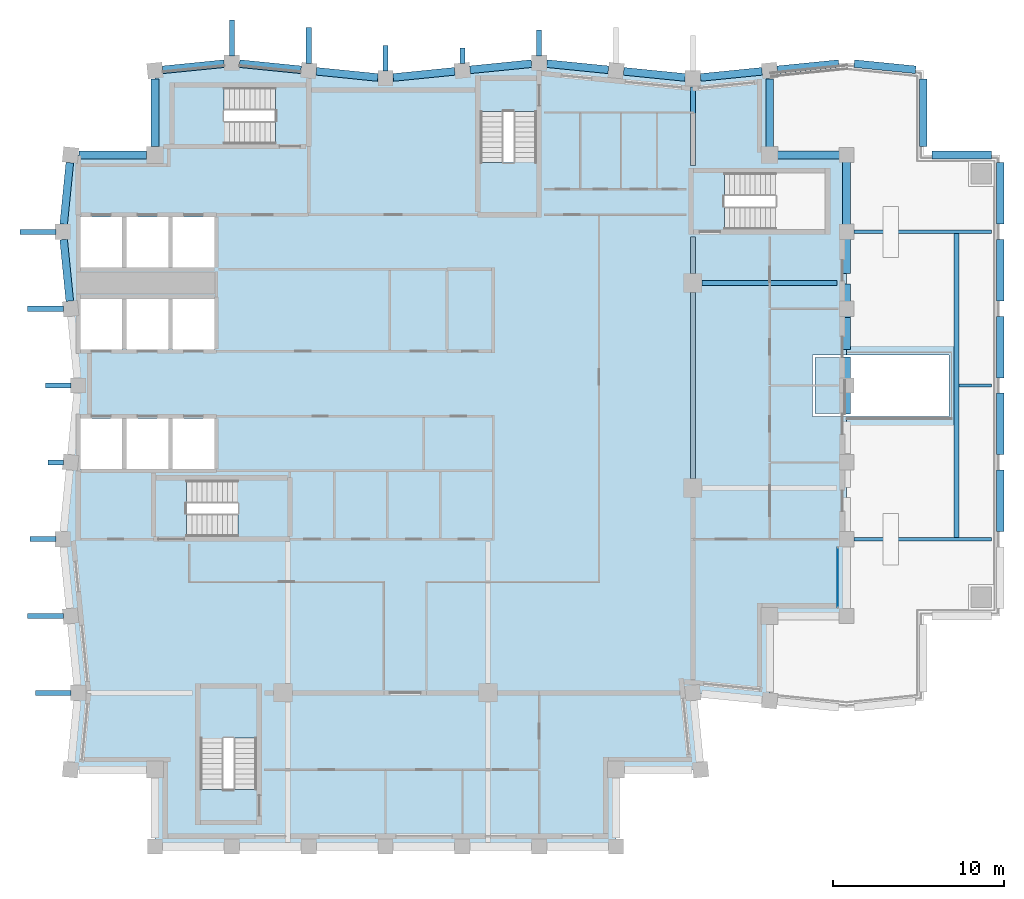
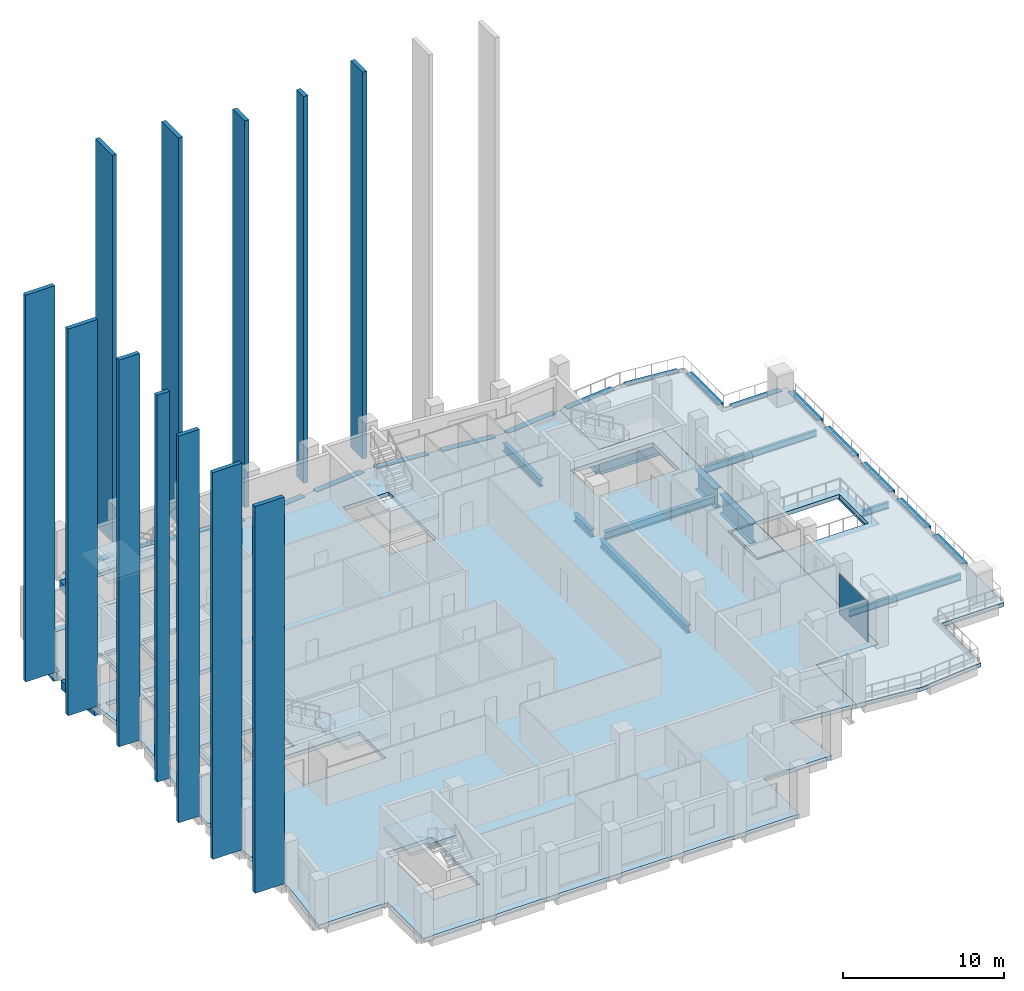
# One storey, part 3 of 11: 36 beams, 13 plates, 7 slabs, 5 elements without a shape of their own.
"""IFC4 building model written with IfcOpenShell, lengths in metres."""

from ifc_helpers import new_model, si_unit, direction, frame, origin, origin_2d, place, context, subcontext, project, spatial, polyline, rectangle, i_section, outline, extrude, material, layer, layer_set, material_profile, profile_set, type_object, element, aggregate, save


model = new_model("IFC4")

# Units and contexts
model_context = context("Model", 3, precision=1e-05, world=origin(), true_north=direction((0.0, 1.0)))
body_context = subcontext(model_context, "Body", "Model", "MODEL_VIEW")
ifc_project = project(units=[si_unit("LENGTHUNIT", "METRE"), si_unit("AREAUNIT", "SQUARE_METRE"), si_unit("VOLUMEUNIT", "CUBIC_METRE"), si_unit("PLANEANGLEUNIT", "RADIAN"), si_unit("MASSUNIT", "GRAM", prefix="KILO")], contexts=[model_context])

# Site, building, storey
site_placement = place(None, origin())
site = spatial("IfcSite", under=ifc_project, at=site_placement, CompositionType="ELEMENT")
building_placement = place(site_placement, origin())
building = spatial("IfcBuilding", under=site, at=building_placement, Name="Brondeck Convention Tower", CompositionType="ELEMENT")
storey_placement = place(building_placement, frame((0.0, 0.0, 252.39990234375)))
storey = spatial("IfcBuildingStorey", under=building, at=storey_placement, Name="L62", CompositionType="ELEMENT", Elevation=252.39990234375)

# Beams
ifc_material_1 = material(Name="Steel S355", Category="steel")
ifc_material_profile_1 = material_profile(ifc_material_1, i_section(OverallWidth=0.199951171875, OverallDepth=0.5, WebThickness=0.01025390625, FlangeThickness=0.01611328125, FilletRadius=0.02099609375, at=origin_2d()), Name="IPE 500")
ifc_profile_set_1 = profile_set([ifc_material_profile_1], Name="Steel S355")
beam_type_1 = type_object("IfcBeamType", Name="Floor beam IPE 500", PredefinedType="BEAM", material=ifc_profile_set_1)
for number, where, z_axis, x_axis, name in (
    (1, (45.449951171875, 36.0, -0.5498046875), (1.0, 0.0, 0.0), (0.0, 1.0, 0.0), "STR-FB-L62T1-001"),
    (2, (45.449951171875, 54.0, -0.5498046875), (1.0, 0.0, 0.0), (0.0, 1.0, 0.0), "STR-FB-L62T1-002"),
):
    element("IfcBeam", number, at=place(storey_placement, frame(where, z_axis=z_axis, x_axis=x_axis)), inside=storey, type_object=beam_type_1, Name=name, PredefinedType="BEAM", context=body_context, shape_type="SweptSolid", body=[
        extrude(i_section(OverallWidth=0.199951171875, OverallDepth=0.5, WebThickness=0.01025390625, FlangeThickness=0.01611328125, FilletRadius=0.02099609375, at=origin_2d()), origin(), (0.0, 0.0, 1.0), 8.050048828125),
    ])
beam_1_placement = place(storey_placement, frame((51.60009765625, 45.0, -0.5498046875), z_axis=(1.0, 0.0, 0.0), x_axis=(0.0, 1.0, 0.0)))
element("IfcBeam", 3, at=beam_1_placement, inside=storey, type_object=beam_type_1, Name="STR-FB-L62T1-003", PredefinedType="BEAM", context=body_context, shape_type="SweptSolid", body=[
    extrude(i_section(OverallWidth=0.199951171875, OverallDepth=0.5, WebThickness=0.01025390625, FlangeThickness=0.01611328125, FilletRadius=0.02099609375, at=origin_2d()), origin(), (0.0, 0.0, 1.0), 1.89990234375),
])
ifc_material_profile_2 = material_profile(ifc_material_1, i_section(OverallWidth=0.300048828125, OverallDepth=0.60009765625, WebThickness=0.015380859375, FlangeThickness=0.030029296875, FilletRadius=0.027099609375, at=origin_2d()), Name="HEB 600")
ifc_profile_set_2 = profile_set([ifc_material_profile_2], Name="Steel S355")
beam_type_2 = type_object("IfcBeamType", Name="Girder HEB 600", PredefinedType="BEAM", material=ifc_profile_set_2)
beam_2_placement = place(storey_placement, frame((36.550048828125, 51.0, -0.599853515625), z_axis=(1.0, 0.0, 0.0), x_axis=(0.0, 1.0, 0.0)))
element("IfcBeam", 4, at=beam_2_placement, inside=storey, type_object=beam_type_2, Name="STR-GR-L62-002", PredefinedType="BEAM", context=body_context, shape_type="SweptSolid", body=[
    extrude(i_section(OverallWidth=0.300048828125, OverallDepth=0.60009765625, WebThickness=0.015380859375, FlangeThickness=0.030029296875, FilletRadius=0.027099609375, at=origin_2d()), origin(), (0.0, 0.0, 1.0), 7.89990234375),
])
beam_3_placement = place(storey_placement, frame((36.0, 39.550048828125, -0.599853515625), z_axis=(0.0, 1.0, 0.0), x_axis=(-1.0, 0.0, 0.0)))
element("IfcBeam", 5, at=beam_3_placement, inside=storey, type_object=beam_type_2, Name="STR-GR-L62-004", PredefinedType="BEAM", context=body_context, shape_type="SweptSolid", body=[
    extrude(i_section(OverallWidth=0.300048828125, OverallDepth=0.60009765625, WebThickness=0.015380859375, FlangeThickness=0.030029296875, FilletRadius=0.027099609375, at=origin_2d()), origin(), (0.0, 0.0, 1.0), 10.89990234375),
])
beam_4_placement = place(storey_placement, frame((36.0, 51.550048828125, -0.599853515625), z_axis=(0.0, 1.0, 0.0), x_axis=(-1.0, 0.0, 0.0)))
element("IfcBeam", 6, at=beam_4_placement, inside=storey, type_object=beam_type_2, Name="STR-GR-L62-005", PredefinedType="BEAM", context=body_context, shape_type="SweptSolid", body=[
    extrude(i_section(OverallWidth=0.300048828125, OverallDepth=0.60009765625, WebThickness=0.015380859375, FlangeThickness=0.030029296875, FilletRadius=0.027099609375, at=origin_2d()), origin(), (0.0, 0.0, 1.0), 2.14990234375),
])
beam_5_placement = place(storey_placement, frame((36.0, 57.89990234375, -0.599853515625), z_axis=(0.0, 1.0, 0.0), x_axis=(-1.0, 0.0, 0.0)))
element("IfcBeam", 7, at=beam_5_placement, inside=storey, type_object=beam_type_2, Name="STR-GR-L62-006", PredefinedType="BEAM", context=body_context, shape_type="SweptSolid", body=[
    extrude(i_section(OverallWidth=0.300048828125, OverallDepth=0.60009765625, WebThickness=0.015380859375, FlangeThickness=0.030029296875, FilletRadius=0.027099609375, at=origin_2d()), origin(), (0.0, 0.0, 1.0), 4.60009765625),
])
beam_6_placement = place(storey_placement, frame((51.449951171875, 36.10009765625, -0.599853515625), z_axis=(0.0, 1.0, 0.0), x_axis=(-1.0, 0.0, 0.0)))
element("IfcBeam", 8, at=beam_6_placement, inside=storey, type_object=beam_type_2, Name="STR-GR-L62T1-001", PredefinedType="BEAM", context=body_context, shape_type="SweptSolid", body=[
    extrude(i_section(OverallWidth=0.300048828125, OverallDepth=0.60009765625, WebThickness=0.015380859375, FlangeThickness=0.030029296875, FilletRadius=0.027099609375, at=origin_2d()), origin(), (0.0, 0.0, 1.0), 17.7998046875),
])
ifc_material_2 = material(Name="Concrete C50/60", Category="concrete")
ifc_material_profile_3 = material_profile(ifc_material_2, rectangle(XDim=0.449951171875, YDim=0.64990234375, at=origin_2d()), Name="Precast spandrel 450x650 Concrete C50/60")
ifc_profile_set_3 = profile_set([ifc_material_profile_3], Name="Concrete C50/60")
beam_type_3 = type_object("IfcBeamType", Name="Precast spandrel 450x650 Concrete C50/60", PredefinedType="SPANDREL", material=ifc_profile_set_3)
for number, where, z_axis, x_axis, name in (
    (9, (40.05224609375, 63.4052734375, -0.324951171875), (-0.995033851182, -0.099537103649, 0.0), (0.099537103649, -0.995033851182, 0.0), "STR-SP-L62-011"),
    (10, (35.550048828125, 63.044921875, -0.324951171875), (-0.995033851182, 0.099537103649, 0.0), (-0.099537103649, -0.995033851182, 0.0), "STR-SP-L62-012"),
    (11, (31.05224609375, 63.494873046875, -0.324951171875), (-0.995040528141, 0.099470334057, 0.0), (-0.099470334057, -0.995040528141, 0.0), "STR-SP-L62-013"),
    (12, (26.550048828125, 63.85498046875, -0.324951171875), (-0.995040528141, -0.099470334057, 0.0), (0.099470334057, -0.995040528141, 0.0), "STR-SP-L62-014"),
    (13, (22.05224609375, 63.4052734375, -0.324951171875), (-0.995033851182, -0.099537103649, 0.0), (0.099537103649, -0.995033851182, 0.0), "STR-SP-L62-015"),
    (14, (17.550048828125, 63.044921875, -0.324951171875), (-0.995033851182, 0.099537103649, 0.0), (-0.099537103649, -0.995033851182, 0.0), "STR-SP-L62-016"),
    (15, (13.05224609375, 63.494873046875, -0.324951171875), (-0.995040528141, 0.099470334057, 0.0), (-0.099470334057, -0.995040528141, 0.0), "STR-SP-L62-017"),
    (16, (8.550048828125, 63.85498046875, -0.324951171875), (-0.995040528141, -0.099470334057, 0.0), (0.099470334057, -0.995040528141, 0.0), "STR-SP-L62-018"),
):
    element("IfcBeam", number, at=place(storey_placement, frame(where, z_axis=z_axis, x_axis=x_axis)), inside=storey, type_object=beam_type_3, Name=name, PredefinedType="SPANDREL", context=body_context, shape_type="SweptSolid", body=[
        extrude(rectangle(XDim=0.449951171875, YDim=0.64990234375, at=origin_2d()), origin(), (0.0, 0.0, 1.0), 3.620361328125),
    ])
for number, where, z_axis, x_axis, name in (
    (17, (4.5, 62.947509765625, -0.324951171875), (0.0, -1.0, 0.0), (1.0, 0.0, 0.0), "STR-SP-L62-019"),
    (18, (4.0, 58.5, -0.324951171875), (-1.0, 0.0, 0.0), (0.0, -1.0, 0.0), "STR-SP-L62-020"),
):
    element("IfcBeam", number, at=place(storey_placement, frame(where, z_axis=z_axis, x_axis=x_axis)), inside=storey, type_object=beam_type_3, Name=name, PredefinedType="SPANDREL", context=body_context, shape_type="SweptSolid", body=[
        extrude(rectangle(XDim=0.449951171875, YDim=0.64990234375, at=origin_2d()), origin(), (0.0, 0.0, 1.0), 3.947509765625),
    ])
for number, where, z_axis, x_axis, name in (
    (19, (-0.494873046875, 58.05224609375, -0.324951171875), (-0.099470334057, -0.995040528141, 0.0), (0.995040528141, -0.099470334057, 0.0), "STR-SP-L62-021"),
    (20, (-0.85498046875, 53.550048828125, -0.324951171875), (0.099470334057, -0.995040528141, 0.0), (0.995040528141, 0.099470334057, 0.0), "STR-SP-L62-022"),
    (21, (45.449951171875, 63.85498046875, -0.324951171875), (0.995040528141, -0.099470334057, 0.0), (0.099470334057, 0.995040528141, 0.0), "STR-SP-L62T1-001"),
):
    element("IfcBeam", number, at=place(storey_placement, frame(where, z_axis=z_axis, x_axis=x_axis)), inside=storey, type_object=beam_type_3, Name=name, PredefinedType="SPANDREL", context=body_context, shape_type="SweptSolid", body=[
        extrude(rectangle(XDim=0.449951171875, YDim=0.64990234375, at=origin_2d()), origin(), (0.0, 0.0, 1.0), 3.620361328125),
    ])
beam_7_placement = place(storey_placement, frame((49.5, 62.947509765625, -0.324951171875), z_axis=(0.0, -1.0, 0.0), x_axis=(1.0, 0.0, 0.0)))
element("IfcBeam", 22, at=beam_7_placement, inside=storey, type_object=beam_type_3, Name="STR-SP-L62T1-002", PredefinedType="SPANDREL", context=body_context, shape_type="SweptSolid", body=[
    extrude(rectangle(XDim=0.449951171875, YDim=0.64990234375, at=origin_2d()), origin(), (0.0, 0.0, 1.0), 3.947509765625),
])
beam_8_placement = place(storey_placement, frame((50.0, 58.5, -0.324951171875), z_axis=(1.0, 0.0, 0.0), x_axis=(0.0, 1.0, 0.0)))
element("IfcBeam", 23, at=beam_8_placement, inside=storey, type_object=beam_type_3, Name="STR-SP-L62T1-003", PredefinedType="SPANDREL", context=body_context, shape_type="SweptSolid", body=[
    extrude(rectangle(XDim=0.449951171875, YDim=0.64990234375, at=origin_2d()), origin(), (0.0, 0.0, 1.0), 3.5),
])
for number, where, z_axis, x_axis, name in (
    (24, (54.0, 58.050048828125, -0.324951171875), (0.0, -1.0, 0.0), (1.0, 0.0, 0.0), "STR-SP-L62T1-004"),
    (25, (54.0, 53.550048828125, -0.324951171875), (0.0, -1.0, 0.0), (1.0, 0.0, 0.0), "STR-SP-L62T1-005"),
    (26, (54.0, 49.050048828125, -0.324951171875), (0.0, -1.0, 0.0), (1.0, 0.0, 0.0), "STR-SP-L62T1-006"),
    (27, (54.0, 44.550048828125, -0.324951171875), (0.0, -1.0, 0.0), (1.0, 0.0, 0.0), "STR-SP-L62T1-007"),
    (28, (54.0, 40.050048828125, -0.324951171875), (0.0, -1.0, 0.0), (1.0, 0.0, 0.0), "STR-SP-L62T1-008"),
):
    element("IfcBeam", number, at=place(storey_placement, frame(where, z_axis=z_axis, x_axis=x_axis)), inside=storey, type_object=beam_type_3, Name=name, PredefinedType="SPANDREL", context=body_context, shape_type="SweptSolid", body=[
        extrude(rectangle(XDim=0.449951171875, YDim=0.64990234375, at=origin_2d()), origin(), (0.0, 0.0, 1.0), 3.60009765625),
    ])
beam_9_placement = place(storey_placement, frame((40.94775390625, 63.494873046875, -0.324951171875), z_axis=(0.995040528141, 0.099470334057, 0.0), x_axis=(-0.099470334057, 0.995040528141, 0.0)))
element("IfcBeam", 29, at=beam_9_placement, inside=storey, type_object=beam_type_3, Name="STR-SP-L62T1-014", PredefinedType="SPANDREL", context=body_context, shape_type="SweptSolid", body=[
    extrude(rectangle(XDim=0.449951171875, YDim=0.64990234375, at=origin_2d()), origin(), (0.0, 0.0, 1.0), 3.620361328125),
])
ifc_material_3 = material(Name="Steel S460", Category="steel")
ifc_material_profile_4 = material_profile(ifc_material_3, i_section(OverallWidth=0.449951171875, OverallDepth=1.5, WebThickness=0.02490234375, FlangeThickness=0.044921875, at=origin_2d()), Name="PG 1500x450")
ifc_profile_set_4 = profile_set([ifc_material_profile_4], Name="Steel S460")
beam_type_4 = type_object("IfcBeamType", Name="Transfer girder PG 1500x450", PredefinedType="BEAM", material=ifc_profile_set_4)
beam_10_placement = place(storey_placement, frame((45.0, 47.10009765625, -1.0498046875), z_axis=(0.0, 1.0, 0.0), x_axis=(-1.0, 0.0, 0.0)))
element("IfcBeam", 30, at=beam_10_placement, inside=storey, type_object=beam_type_4, Name="Setback transfer girder PG-L62-7", PredefinedType="BEAM", context=body_context, shape_type="SweptSolid", body=[
    extrude(i_section(OverallWidth=0.449951171875, OverallDepth=1.5, WebThickness=0.02490234375, FlangeThickness=0.044921875, at=origin_2d()), origin(), (0.0, 0.0, 1.0), 2.39990234375),
])
beam_11_placement = place(storey_placement, frame((45.0, 48.989990234375, -1.0498046875), z_axis=(0.0, 1.0, 0.0), x_axis=(-1.0, 0.0, 0.0)))
element("IfcBeam", 31, at=beam_11_placement, inside=storey, type_object=beam_type_4, Name="Setback transfer girder PG-L62-8", PredefinedType="BEAM", context=body_context, shape_type="SweptSolid", body=[
    extrude(i_section(OverallWidth=0.449951171875, OverallDepth=1.5, WebThickness=0.02490234375, FlangeThickness=0.044921875, at=origin_2d()), origin(), (0.0, 0.0, 1.0), 1.969970703125),
])
beam_12_placement = place(storey_placement, frame((45.0, 51.550048828125, -1.0498046875), z_axis=(0.0, 1.0, 0.0), x_axis=(-1.0, 0.0, 0.0)))
element("IfcBeam", 32, at=beam_12_placement, inside=storey, type_object=beam_type_4, Name="Setback transfer girder PG-L62-9", PredefinedType="BEAM", context=body_context, shape_type="SweptSolid", body=[
    extrude(i_section(OverallWidth=0.449951171875, OverallDepth=1.5, WebThickness=0.02490234375, FlangeThickness=0.044921875, at=origin_2d()), origin(), (0.0, 0.0, 1.0), 2.449951171875),
])
for number, where, z_axis, x_axis, name in (
    (33, (45.0, 54.0, -1.0498046875), (0.0, 1.0, 0.0), (-1.0, 0.0, 0.0), "Setback transfer girder PG-L62-10"),
    (34, (45.0, 58.5, -1.0498046875), (-1.0, 0.0, 0.0), (0.0, -1.0, 0.0), "Setback transfer girder PG-L62-11"),
):
    element("IfcBeam", number, at=place(storey_placement, frame(where, z_axis=z_axis, x_axis=x_axis)), inside=storey, type_object=beam_type_4, Name=name, PredefinedType="BEAM", context=body_context, shape_type="SweptSolid", body=[
        extrude(i_section(OverallWidth=0.449951171875, OverallDepth=1.5, WebThickness=0.02490234375, FlangeThickness=0.044921875, at=origin_2d()), origin(), (0.0, 0.0, 1.0), 4.5),
    ])
beam_13_placement = place(storey_placement, frame((40.5, 58.5, -1.0498046875), z_axis=(0.0, 1.0, 0.0), x_axis=(-1.0, 0.0, 0.0)))
element("IfcBeam", 35, at=beam_13_placement, inside=storey, type_object=beam_type_4, Name="Setback transfer girder PG-L62-12", PredefinedType="BEAM", context=body_context, shape_type="SweptSolid", body=[
    extrude(i_section(OverallWidth=0.449951171875, OverallDepth=1.5, WebThickness=0.02490234375, FlangeThickness=0.044921875, at=origin_2d()), origin(), (0.0, 0.0, 1.0), 4.447509765625),
])
beam_14_placement = place(storey_placement, frame((45.0, 43.320068359375, -1.0498046875), z_axis=(0.0, 1.0, 0.0), x_axis=(-1.0, 0.0, 0.0)))
element("IfcBeam", 36, at=beam_14_placement, inside=storey, type_object=beam_type_4, Name="Setback transfer girder PG-L62-C1", PredefinedType="BEAM", context=body_context, shape_type="SweptSolid", body=[
    extrude(i_section(OverallWidth=0.449951171875, OverallDepth=1.5, WebThickness=0.02490234375, FlangeThickness=0.044921875, at=origin_2d()), origin(), (0.0, 0.0, 1.0), 3.35986328125),
])

# Curtain wall, plate
ifc_material_4 = material(Name="Aluminium, bronze anodised", Category="aluminium")
curtain_wall_type = type_object("IfcCurtainWallType", Name="Terrace door screen curtain wall", PredefinedType="NOTDEFINED", material=ifc_material_4)
curtain_wall_placement = place(storey_placement, origin())
curtain_wall = element("IfcCurtainWall", 37, at=curtain_wall_placement, inside=storey, type_object=curtain_wall_type, Name="ENV-CW6-L62-A-E45-01", PredefinedType="NOTDEFINED")
ifc_material_5 = material(Name="Bronze tinted laminated glass", Category="glass")
ifc_layer_1 = layer(ifc_material_5, 0.006103515625, Name="Outer pane")
ifc_material_6 = material(Name="Argon-filled cavity")
ifc_layer_2 = layer(ifc_material_6, 0.011962890625, Name="Cavity")
ifc_material_7 = material(Name="Clear low-emissivity glass", Category="glass")
ifc_layer_3 = layer(ifc_material_7, 0.006103515625, Name="Inner pane")
ifc_layer_set_1 = layer_set([ifc_layer_1, ifc_layer_2, ifc_layer_3], Name="CW6 glazing panel")
plate_type_1 = type_object("IfcPlateType", Name="CW6 glazing panel", PredefinedType="CURTAIN_PANEL", material=ifc_layer_set_1)
plate_1_placement = place(storey_placement, frame((44.489990234375, 33.75, 0.05029296875), z_axis=(0.0, 0.0, 1.0), x_axis=(0.0, -1.0, 0.0)))
plate_1 = element("IfcPlate", 38, at=plate_1_placement, type_object=plate_type_1, Name="CW6 panel 1.1", PredefinedType="CURTAIN_PANEL", context=body_context, shape_type="SweptSolid", body=[
    extrude(rectangle(XDim=3.5, YDim=0.02392578125, at=origin_2d()), origin(), (0.0, 0.0, 1.0), 3.050048828125),
])
aggregate(curtain_wall, [plate_1])

# Slabs
ifc_material_8 = material(Name="Concrete C35/45", Category="concrete")
ifc_layer_4 = layer(ifc_material_8, 0.300048828125)
ifc_layer_set_2 = layer_set([ifc_layer_4], Name="Composite floor slab 300")
slab_type_1 = type_object("IfcSlabType", Name="Composite floor slab 300", PredefinedType="FLOOR", material=ifc_layer_set_2)
slab_1_placement = place(storey_placement, frame((0.0, 0.0, -0.2998046875)))
element("IfcSlab", 39, at=slab_1_placement, inside=storey, type_object=slab_type_1, Name="STR-SL-L62", PredefinedType="FLOOR", context=body_context, shape_type="SweptSolid", body=[
    extrude(outline(polyline([(45.0, 31.5), (40.5, 31.5), (40.5, 26.550048828125), (36.0, 27.0), (36.449951171875, 22.5), (31.5, 22.5), (31.5, 18.0), (4.5, 18.0), (4.5, 22.5), (-0.449951171875, 22.5), (0.0, 27.0), (-0.89990234375, 36.0), (0.0, 45.0), (-0.89990234375, 54.0), (-0.449951171875, 58.5), (4.5, 58.5), (4.5, 63.449951171875), (9.0, 63.89990234375), (18.0, 63.0), (27.0, 63.89990234375), (36.0, 63.0), (40.5, 63.449951171875), (40.5, 58.5), (45.0, 58.5), (45.0, 46.800048828125), (43.0, 46.800048828125), (43.0, 43.199951171875), (45.0, 43.199951171875), (45.0, 31.5)]), holes=[polyline([(2.574951171875, 40.125), (2.574951171875, 43.074951171875), (0.125, 43.074951171875), (0.125, 40.125), (2.574951171875, 40.125)]), polyline([(5.27490234375, 40.125), (5.27490234375, 43.074951171875), (2.824951171875, 43.074951171875), (2.824951171875, 40.125), (5.27490234375, 40.125)]), polyline([(7.97509765625, 40.125), (7.97509765625, 43.074951171875), (5.52490234375, 43.074951171875), (5.52490234375, 40.125), (7.97509765625, 40.125)]), polyline([(2.574951171875, 47.125), (2.574951171875, 50.074951171875), (0.125, 50.074951171875), (0.125, 47.125), (2.574951171875, 47.125)]), polyline([(5.27490234375, 47.125), (5.27490234375, 50.074951171875), (2.824951171875, 50.074951171875), (2.824951171875, 47.125), (5.27490234375, 47.125)]), polyline([(7.97509765625, 47.125), (7.97509765625, 50.074951171875), (5.52490234375, 50.074951171875), (5.52490234375, 47.125), (7.97509765625, 47.125)]), polyline([(2.574951171875, 51.925048828125), (2.574951171875, 54.875), (0.125, 54.875), (0.125, 51.925048828125), (2.574951171875, 51.925048828125)]), polyline([(5.27490234375, 51.925048828125), (5.27490234375, 54.875), (2.824951171875, 54.875), (2.824951171875, 51.925048828125), (5.27490234375, 51.925048828125)]), polyline([(10.447998046875, 27.248046875), (7.152099609375, 27.248046875), (7.152099609375, 21.35205078125), (10.447998046875, 21.35205078125), (10.447998046875, 27.248046875)]), polyline([(12.248046875, 36.152099609375), (12.248046875, 39.447998046875), (6.35205078125, 39.447998046875), (6.35205078125, 36.152099609375), (12.248046875, 36.152099609375)]), polyline([(7.97509765625, 51.925048828125), (7.97509765625, 54.875), (5.52490234375, 54.875), (5.52490234375, 51.925048828125), (7.97509765625, 51.925048828125)]), polyline([(43.748046875, 54.152099609375), (43.748046875, 57.447998046875), (37.85205078125, 57.447998046875), (37.85205078125, 54.152099609375), (43.748046875, 54.152099609375)]), polyline([(23.552001953125, 55.152099609375), (26.847900390625, 55.152099609375), (26.847900390625, 61.048095703125), (23.552001953125, 61.048095703125), (23.552001953125, 55.152099609375)]), polyline([(5.652099609375, 62.447998046875), (5.652099609375, 59.152099609375), (11.548095703125, 59.152099609375), (11.548095703125, 62.447998046875), (5.652099609375, 62.447998046875)])]), origin(), (0.0, 0.0, 1.0), 0.2998046875),
])
ifc_material_9 = material(Name="Precast concrete C50/60", Category="concrete")
ifc_layer_5 = layer(ifc_material_9, 0.25)
ifc_layer_set_3 = layer_set([ifc_layer_5], Name="Core stair landing 250 Precast concrete C50/60")
slab_type_2 = type_object("IfcSlabType", Name="Core stair landing 250 Precast concrete C50/60", PredefinedType="LANDING", material=ifc_layer_set_3)
slab_2_placement = place(storey_placement, frame((0.0, 0.0, -0.25)))
element("IfcSlab", 40, at=slab_2_placement, inside=storey, type_object=slab_type_2, Name="L62 ST-AF top landing", PredefinedType="LANDING", context=body_context, shape_type="SweptSolid", body=[
    extrude(outline(polyline([(43.14990234375, 43.35009765625), (44.949951171875, 43.35009765625), (44.949951171875, 46.64990234375), (43.14990234375, 46.64990234375), (43.14990234375, 43.35009765625)])), origin(), (0.0, 0.0, 1.0), 0.25),
])

# Stair, slab
stair_type = type_object("IfcStairType", Name="Core stair 22 risers 172.73 mm riser 300 mm going 1350 wide", PredefinedType="HALF_TURN_STAIR", material=ifc_material_9)
stair_1_placement = place(storey_placement, origin())
stair_1 = element("IfcStair", 41, at=stair_1_placement, inside=storey, type_object=stair_type, Name="ST-1 L62 stair", PredefinedType="HALF_TURN_STAIR")
slab_3_placement = place(storey_placement, frame((0.0, 0.0, 1.650146484375)))
slab_3 = element("IfcSlab", 42, at=slab_3_placement, type_object=slab_type_2, Name="ST-1 landing 1", PredefinedType="LANDING", context=body_context, shape_type="SweptSolid", body=[
    extrude(outline(polyline([(9.347900390625, 37.5), (9.35009765625, 37.5), (9.35009765625, 38.10009765625), (9.050048828125, 38.10009765625), (9.050048828125, 39.570068359375), (12.3701171875, 39.570068359375), (12.3701171875, 36.030029296875), (9.347900390625, 36.030029296875), (9.347900390625, 37.5)])), origin(), (0.0, 0.0, 1.0), 0.25),
])
aggregate(stair_1, [slab_3])

stair_2_placement = place(storey_placement, origin())
stair_2 = element("IfcStair", 43, at=stair_2_placement, inside=storey, type_object=stair_type, Name="ST-2 L62 stair", PredefinedType="HALF_TURN_STAIR")
slab_4_placement = place(storey_placement, frame((0.0, 0.0, 1.650146484375)))
slab_4 = element("IfcSlab", 44, at=slab_4_placement, type_object=slab_type_2, Name="ST-2 landing 1", PredefinedType="LANDING", context=body_context, shape_type="SweptSolid", body=[
    extrude(outline(polyline([(23.429931640625, 58.052001953125), (24.89990234375, 58.052001953125), (24.89990234375, 58.050048828125), (25.5, 58.050048828125), (25.5, 58.35009765625), (26.969970703125, 58.35009765625), (26.969970703125, 55.030029296875), (23.429931640625, 55.030029296875), (23.429931640625, 58.052001953125)])), origin(), (0.0, 0.0, 1.0), 0.25),
])
aggregate(stair_2, [slab_4])

stair_3_placement = place(storey_placement, origin())
stair_3 = element("IfcStair", 45, at=stair_3_placement, inside=storey, type_object=stair_type, Name="ST-3 L62 stair", PredefinedType="HALF_TURN_STAIR")
slab_5_placement = place(storey_placement, frame((0.0, 0.0, 1.650146484375)))
slab_5 = element("IfcSlab", 46, at=slab_5_placement, type_object=slab_type_2, Name="ST-3 landing 1", PredefinedType="LANDING", context=body_context, shape_type="SweptSolid", body=[
    extrude(outline(polyline([(8.85009765625, 60.5), (8.85009765625, 59.030029296875), (5.530029296875, 59.030029296875), (5.530029296875, 62.570068359375), (8.552001953125, 62.570068359375), (8.552001953125, 61.10009765625), (8.550048828125, 61.10009765625), (8.550048828125, 60.5), (8.85009765625, 60.5)])), origin(), (0.0, 0.0, 1.0), 0.25),
])
aggregate(stair_3, [slab_5])

stair_4_placement = place(storey_placement, origin())
stair_4 = element("IfcStair", 47, at=stair_4_placement, inside=storey, type_object=stair_type, Name="ST-BE L62 stair", PredefinedType="HALF_TURN_STAIR")
slab_6_placement = place(storey_placement, frame((0.0, 0.0, 1.650146484375)))
slab_6 = element("IfcSlab", 48, at=slab_6_placement, type_object=slab_type_2, Name="ST-BE landing 1", PredefinedType="LANDING", context=body_context, shape_type="SweptSolid", body=[
    extrude(outline(polyline([(7.030029296875, 24.050048828125), (7.030029296875, 27.3701171875), (10.570068359375, 27.3701171875), (10.570068359375, 24.347900390625), (9.10009765625, 24.347900390625), (9.10009765625, 24.35009765625), (8.5, 24.35009765625), (8.5, 24.050048828125), (7.030029296875, 24.050048828125)])), origin(), (0.0, 0.0, 1.0), 0.25),
])
aggregate(stair_4, [slab_6])

# Plates
ifc_layer_6 = layer(ifc_material_9, 0.300048828125)
ifc_layer_set_4 = layer_set([ifc_layer_6], Name="Facade fin FN1 300 x 900 Precast concrete C50/60")
plate_type_2 = type_object("IfcPlateType", Name="Facade fin FN1 300 x 900 Precast concrete C50/60", PredefinedType="USERDEFINED", material=ifc_layer_set_4)
plate_2_placement = place(storey_placement, frame((0.0, 0.0, 0.5)))
element("IfcPlate", 49, at=plate_2_placement, inside=storey, type_object=plate_type_2, Name="ENV-FN-A-N-Z5-05", ObjectType="FIN", PredefinedType="USERDEFINED", context=body_context, shape_type="SweptSolid", body=[
    extrude(outline(polyline([(22.35009765625, 64.760009765625), (22.35009765625, 63.860107421875), (22.64990234375, 63.860107421875), (22.64990234375, 64.760009765625), (22.35009765625, 64.760009765625)])), origin(), (0.0, 0.0, 1.0), 29.400146484375),
])
plate_3_placement = place(storey_placement, frame((0.0, 0.0, 0.5)))
element("IfcPlate", 50, at=plate_3_placement, inside=storey, type_object=plate_type_2, Name="ENV-FN-B-W-Z5-05", ObjectType="FIN", PredefinedType="USERDEFINED", context=body_context, shape_type="SweptSolid", body=[
    extrude(outline(polyline([(-1.760009765625, 40.35009765625), (-0.860107421875, 40.35009765625), (-0.860107421875, 40.64990234375), (-1.760009765625, 40.64990234375), (-1.760009765625, 40.35009765625)])), origin(), (0.0, 0.0, 1.0), 29.400146484375),
])
ifc_layer_7 = layer(ifc_material_9, 0.300048828125)
ifc_layer_set_5 = layer_set([ifc_layer_7], Name="Facade fin FN2 300 x 1500 Precast concrete C50/60")
plate_type_3 = type_object("IfcPlateType", Name="Facade fin FN2 300 x 1500 Precast concrete C50/60", PredefinedType="USERDEFINED", material=ifc_layer_set_5)
plate_4_placement = place(storey_placement, frame((0.0, 0.0, 0.5)))
element("IfcPlate", 51, at=plate_4_placement, inside=storey, type_object=plate_type_3, Name="ENV-FN-A-N-Z5-04", ObjectType="FIN", PredefinedType="USERDEFINED", context=body_context, shape_type="SweptSolid", body=[
    extrude(outline(polyline([(17.85009765625, 64.909912109375), (17.85009765625, 63.409912109375), (18.14990234375, 63.409912109375), (18.14990234375, 64.909912109375), (17.85009765625, 64.909912109375)])), origin(), (0.0, 0.0, 1.0), 29.400146484375),
])
plate_5_placement = place(storey_placement, frame((0.0, 0.0, 0.5)))
element("IfcPlate", 52, at=plate_5_placement, inside=storey, type_object=plate_type_3, Name="ENV-FN-A-N-Z5-06", ObjectType="FIN", PredefinedType="USERDEFINED", context=body_context, shape_type="SweptSolid", body=[
    extrude(outline(polyline([(26.85009765625, 65.81005859375), (26.85009765625, 64.31005859375), (27.14990234375, 64.31005859375), (27.14990234375, 65.81005859375), (26.85009765625, 65.81005859375)])), origin(), (0.0, 0.0, 1.0), 29.400146484375),
])
plate_6_placement = place(storey_placement, frame((0.0, 0.0, 0.5)))
element("IfcPlate", 53, at=plate_6_placement, inside=storey, type_object=plate_type_3, Name="ENV-FN-B-W-Z5-04", ObjectType="FIN", PredefinedType="USERDEFINED", context=body_context, shape_type="SweptSolid", body=[
    extrude(outline(polyline([(-1.909912109375, 44.85009765625), (-0.409912109375, 44.85009765625), (-0.409912109375, 45.14990234375), (-1.909912109375, 45.14990234375), (-1.909912109375, 44.85009765625)])), origin(), (0.0, 0.0, 1.0), 29.400146484375),
])
plate_7_placement = place(storey_placement, frame((0.0, 0.0, 0.5)))
element("IfcPlate", 54, at=plate_7_placement, inside=storey, type_object=plate_type_3, Name="ENV-FN-B-W-Z5-06", ObjectType="FIN", PredefinedType="USERDEFINED", context=body_context, shape_type="SweptSolid", body=[
    extrude(outline(polyline([(-2.81005859375, 35.85009765625), (-1.31005859375, 35.85009765625), (-1.31005859375, 36.14990234375), (-2.81005859375, 36.14990234375), (-2.81005859375, 35.85009765625)])), origin(), (0.0, 0.0, 1.0), 29.400146484375),
])
ifc_layer_8 = layer(ifc_material_9, 0.300048828125)
ifc_layer_set_6 = layer_set([ifc_layer_8], Name="Facade fin FN3 300 x 2100 Precast concrete C50/60")
plate_type_4 = type_object("IfcPlateType", Name="Facade fin FN3 300 x 2100 Precast concrete C50/60", PredefinedType="USERDEFINED", material=ifc_layer_set_6)
plate_8_placement = place(storey_placement, frame((0.0, 0.0, 0.5)))
element("IfcPlate", 55, at=plate_8_placement, inside=storey, type_object=plate_type_4, Name="ENV-FN-A-N-Z5-02", ObjectType="FIN", PredefinedType="USERDEFINED", context=body_context, shape_type="SweptSolid", body=[
    extrude(outline(polyline([(8.85009765625, 66.409912109375), (8.85009765625, 64.31005859375), (9.14990234375, 64.31005859375), (9.14990234375, 66.409912109375), (8.85009765625, 66.409912109375)])), origin(), (0.0, 0.0, 1.0), 29.400146484375),
])
plate_9_placement = place(storey_placement, frame((0.0, 0.0, 0.5)))
element("IfcPlate", 56, at=plate_9_placement, inside=storey, type_object=plate_type_4, Name="ENV-FN-A-N-Z5-03", ObjectType="FIN", PredefinedType="USERDEFINED", context=body_context, shape_type="SweptSolid", body=[
    extrude(outline(polyline([(13.35009765625, 65.9599609375), (13.35009765625, 63.860107421875), (13.64990234375, 63.860107421875), (13.64990234375, 65.9599609375), (13.35009765625, 65.9599609375)])), origin(), (0.0, 0.0, 1.0), 29.400146484375),
])
plate_10_placement = place(storey_placement, frame((0.0, 0.0, 0.5)))
element("IfcPlate", 57, at=plate_10_placement, inside=storey, type_object=plate_type_4, Name="ENV-FN-B-W-Z5-02", ObjectType="FIN", PredefinedType="USERDEFINED", context=body_context, shape_type="SweptSolid", body=[
    extrude(outline(polyline([(-3.409912109375, 53.85009765625), (-1.31005859375, 53.85009765625), (-1.31005859375, 54.14990234375), (-3.409912109375, 54.14990234375), (-3.409912109375, 53.85009765625)])), origin(), (0.0, 0.0, 1.0), 29.400146484375),
])
plate_11_placement = place(storey_placement, frame((0.0, 0.0, 0.5)))
element("IfcPlate", 58, at=plate_11_placement, inside=storey, type_object=plate_type_4, Name="ENV-FN-B-W-Z5-03", ObjectType="FIN", PredefinedType="USERDEFINED", context=body_context, shape_type="SweptSolid", body=[
    extrude(outline(polyline([(-2.9599609375, 49.35009765625), (-0.860107421875, 49.35009765625), (-0.860107421875, 49.64990234375), (-2.9599609375, 49.64990234375), (-2.9599609375, 49.35009765625)])), origin(), (0.0, 0.0, 1.0), 29.400146484375),
])
plate_12_placement = place(storey_placement, frame((0.0, 0.0, 0.5)))
element("IfcPlate", 59, at=plate_12_placement, inside=storey, type_object=plate_type_4, Name="ENV-FN-B-W-Z5-07", ObjectType="FIN", PredefinedType="USERDEFINED", context=body_context, shape_type="SweptSolid", body=[
    extrude(outline(polyline([(-2.9599609375, 31.35009765625), (-0.860107421875, 31.35009765625), (-0.860107421875, 31.64990234375), (-2.9599609375, 31.64990234375), (-2.9599609375, 31.35009765625)])), origin(), (0.0, 0.0, 1.0), 29.400146484375),
])
plate_13_placement = place(storey_placement, frame((0.0, 0.0, 0.5)))
element("IfcPlate", 60, at=plate_13_placement, inside=storey, type_object=plate_type_4, Name="ENV-FN-B-W-Z5-08", ObjectType="FIN", PredefinedType="USERDEFINED", context=body_context, shape_type="SweptSolid", body=[
    extrude(outline(polyline([(-2.510009765625, 26.85009765625), (-0.409912109375, 26.85009765625), (-0.409912109375, 27.14990234375), (-2.510009765625, 27.14990234375), (-2.510009765625, 26.85009765625)])), origin(), (0.0, 0.0, 1.0), 29.400146484375),
])

# Slab
ifc_layer_9 = layer(ifc_material_8, 0.300048828125)
ifc_layer_set_7 = layer_set([ifc_layer_9], Name="Roof slab, terrace and crown")
slab_type_3 = type_object("IfcSlabType", Name="Roof slab, terrace and crown", PredefinedType="ROOF", material=ifc_layer_set_7)
slab_7_placement = place(storey_placement, frame((0.0, 0.0, -0.2998046875)))
element("IfcSlab", 61, at=slab_7_placement, inside=storey, type_object=slab_type_3, Name="ENV-S3-1-SL", PredefinedType="ROOF", context=body_context, shape_type="SweptSolid", body=[
    extrude(outline(polyline([(49.5, 63.449951171875), (45.0, 63.89990234375), (40.5, 63.449951171875), (40.5, 58.5), (45.0, 58.5), (45.0, 46.800048828125), (51.0, 46.800048828125), (51.0, 43.199951171875), (45.0, 43.199951171875), (45.0, 31.5), (40.5, 31.5), (40.5, 26.550048828125), (45.0, 26.10009765625), (49.5, 26.550048828125), (49.5, 31.5), (54.0, 31.5), (54.0, 58.5), (49.5, 58.5), (49.5, 63.449951171875)])), origin(), (0.0, 0.0, 1.0), 0.2998046875),
])

save(model, "model.ifc")
